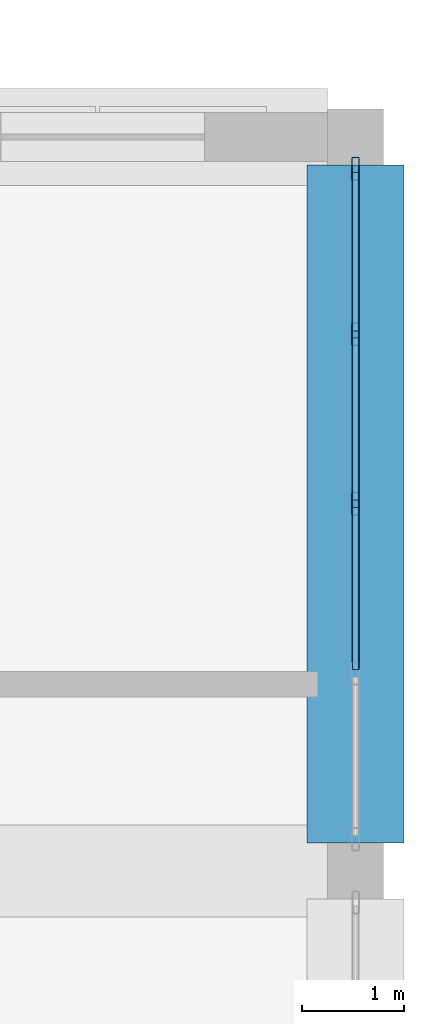
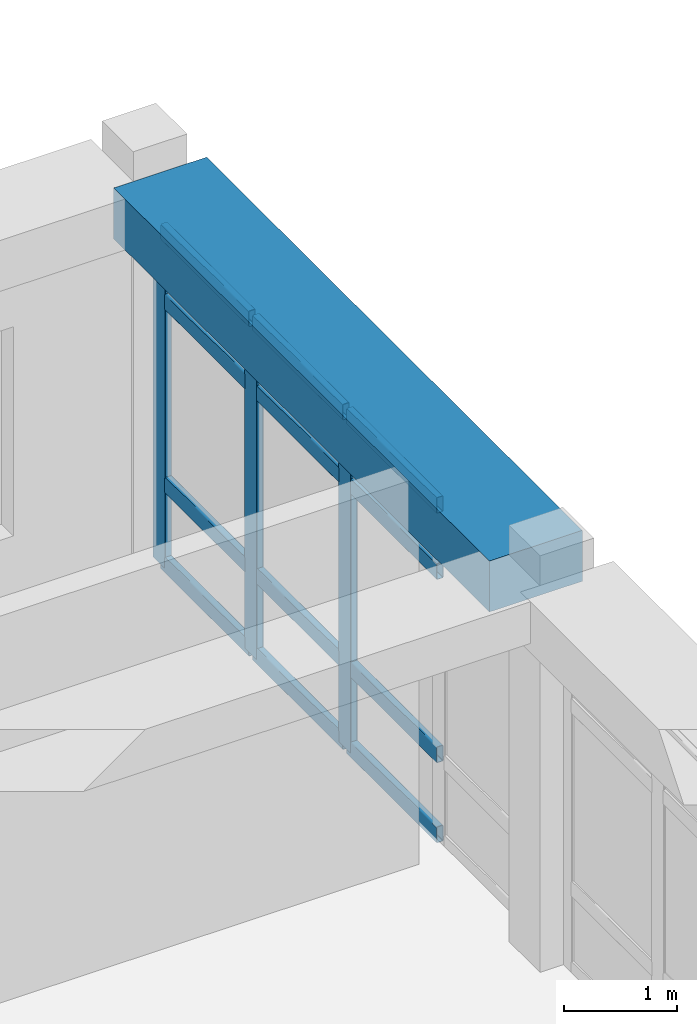
# One storey, part 61 of 121: 15 members, 1 beam, 1 element without a shape of its own.
"""IFC4 building model written with IfcOpenShell, lengths in metres."""

from ifc_helpers import new_model, si_unit, derived_unit, direction, frame, origin, origin_2d, place, context, subcontext, project, spatial, rectangle, hollow_rectangle, extrude, material, material_profile, profile_set, type_object, element, aggregate, save


model = new_model("IFC4")

# Units and contexts
model_context = context("Model", 3, precision=1e-05, world=origin(), true_north=direction((0.0, 1.0)))
body_context = subcontext(model_context, "Body", "Model", "MODEL_VIEW")
ifc_project = project(units=[si_unit("LENGTHUNIT", "METRE"), si_unit("AREAUNIT", "SQUARE_METRE"), si_unit("VOLUMEUNIT", "CUBIC_METRE"), si_unit("PLANEANGLEUNIT", "RADIAN"), si_unit("MASSUNIT", "GRAM", prefix="KILO"), derived_unit("THERMALTRANSMITTANCEUNIT", [(si_unit("POWERUNIT", "WATT"), 1), (si_unit("LENGTHUNIT", "METRE"), -2), (si_unit("THERMODYNAMICTEMPERATUREUNIT", "KELVIN"), -1)])], contexts=[model_context])

# Site, building, storey
site_placement = place(None, origin())
site = spatial("IfcSite", under=ifc_project, at=site_placement, CompositionType="ELEMENT")
building_placement = place(site_placement, origin())
building = spatial("IfcBuilding", under=site, at=building_placement, Name="Veybourne Emporium", CompositionType="ELEMENT")
storey_placement = place(building_placement, frame((0.0, 0.0, 5.39990234375)))
storey = spatial("IfcBuildingStorey", under=building, at=storey_placement, Name="L01", CompositionType="ELEMENT", Elevation=5.39990234375)

# Curtain wall, members
ifc_material_1 = material(Name="Patinated Architectural Bronze", Category="bronze")
curtain_wall_type = type_object("IfcCurtainWallType", Name="CWSystem_CWS-05", PredefinedType="NOTDEFINED", material=ifc_material_1)
curtain_wall_placement = place(storey_placement, origin())
curtain_wall = element("IfcCurtainWall", 1, at=curtain_wall_placement, inside=storey, type_object=curtain_wall_type, Name="L01 bronze glazed curtain wall CWS-05 (079)", PredefinedType="NOTDEFINED")
ifc_material_profile_1 = material_profile(ifc_material_1, hollow_rectangle(XDim=0.072021484375, YDim=0.22509765625, WallThickness=0.0048828125, InnerFilletRadius=0.007568359375, OuterFilletRadius=0.012451171875, at=origin_2d()), Name="CWM 72x225x5")
ifc_profile_set_1 = profile_set([ifc_material_profile_1], Name="Patinated Architectural Bronze")
member_type_1 = type_object("IfcMemberType", Name="CWMullion_CW-M1", PredefinedType="MULLION", material=ifc_profile_set_1)
member_1_placement = place(storey_placement, frame((168.0, 21.2890625, 0.0), z_axis=(0.0, 0.0, 1.0), x_axis=(1.0, 0.0, 0.0)))
member_1 = element("IfcMember", 2, at=member_1_placement, type_object=member_type_1, Name="CWS-05 mullion 1", PredefinedType="MULLION", context=body_context, shape_type="SweptSolid", body=[
    extrude(hollow_rectangle(XDim=0.072021484375, YDim=0.22509765625, WallThickness=0.0048828125, InnerFilletRadius=0.007568359375, OuterFilletRadius=0.012451171875, at=origin_2d()), origin(), (0.0, 0.0, 1.0), 3.630126953125),
])
member_2_placement = place(storey_placement, frame((168.0, 19.66259765625, 0.0), z_axis=(0.0, 0.0, 1.0), x_axis=(1.0, 0.0, 0.0)))
member_2 = element("IfcMember", 3, at=member_2_placement, type_object=member_type_1, Name="CWS-05 mullion 2", PredefinedType="MULLION", context=body_context, shape_type="SweptSolid", body=[
    extrude(hollow_rectangle(XDim=0.072021484375, YDim=0.22509765625, WallThickness=0.0048828125, InnerFilletRadius=0.007568359375, OuterFilletRadius=0.012451171875, at=origin_2d()), origin(), (0.0, 0.0, 1.0), 3.630126953125),
])
member_3_placement = place(storey_placement, frame((168.0, 18.0, 0.0), z_axis=(0.0, 0.0, 1.0), x_axis=(1.0, 0.0, 0.0)))
member_3 = element("IfcMember", 4, at=member_3_placement, type_object=member_type_1, Name="CWS-05 mullion 3", PredefinedType="MULLION", context=body_context, shape_type="SweptSolid", body=[
    extrude(hollow_rectangle(XDim=0.072021484375, YDim=0.22509765625, WallThickness=0.0048828125, InnerFilletRadius=0.007568359375, OuterFilletRadius=0.012451171875, at=origin_2d()), origin(), (0.0, 0.0, 1.0), 3.630126953125),
])
ifc_material_profile_2 = material_profile(ifc_material_1, hollow_rectangle(XDim=0.072021484375, YDim=0.175048828125, WallThickness=0.0048828125, InnerFilletRadius=0.007568359375, OuterFilletRadius=0.012451171875, at=origin_2d()), Name="CWT 72x175x5")
ifc_profile_set_2 = profile_set([ifc_material_profile_2], Name="Patinated Architectural Bronze")
member_type_2 = type_object("IfcMemberType", Name="CWTransom_CW-T1", PredefinedType="NOTDEFINED", material=ifc_profile_set_2)
member_4_placement = place(storey_placement, frame((168.0, 21.2529296875, 0.0361328125), z_axis=(0.0, -1.0, 0.0), x_axis=(1.0, 0.0, 0.0)))
member_4 = element("IfcMember", 5, at=member_4_placement, type_object=member_type_2, Name="CWS-05 transom 1.1", ObjectType="TRANSOM", PredefinedType="USERDEFINED", context=body_context, shape_type="SweptSolid", body=[
    extrude(hollow_rectangle(XDim=0.072021484375, YDim=0.175048828125, WallThickness=0.0048828125, InnerFilletRadius=0.007568359375, OuterFilletRadius=0.012451171875, at=origin_2d()), origin(), (0.0, 0.0, 1.0), 1.554443359375),
])
member_5_placement = place(storey_placement, frame((168.0, 21.2529296875, 0.900146484375), z_axis=(0.0, -1.0, 0.0), x_axis=(1.0, 0.0, 0.0)))
member_5 = element("IfcMember", 6, at=member_5_placement, type_object=member_type_2, Name="CWS-05 transom 1.2", ObjectType="TRANSOM", PredefinedType="USERDEFINED", context=body_context, shape_type="SweptSolid", body=[
    extrude(hollow_rectangle(XDim=0.072021484375, YDim=0.175048828125, WallThickness=0.0048828125, InnerFilletRadius=0.007568359375, OuterFilletRadius=0.012451171875, at=origin_2d()), origin(), (0.0, 0.0, 1.0), 1.554443359375),
])
member_6_placement = place(storey_placement, frame((168.0, 21.2529296875, 2.880126953125), z_axis=(0.0, -1.0, 0.0), x_axis=(1.0, 0.0, 0.0)))
member_6 = element("IfcMember", 7, at=member_6_placement, type_object=member_type_2, Name="CWS-05 transom 1.3", ObjectType="TRANSOM", PredefinedType="USERDEFINED", context=body_context, shape_type="SweptSolid", body=[
    extrude(hollow_rectangle(XDim=0.072021484375, YDim=0.175048828125, WallThickness=0.0048828125, InnerFilletRadius=0.007568359375, OuterFilletRadius=0.012451171875, at=origin_2d()), origin(), (0.0, 0.0, 1.0), 1.554443359375),
])
member_7_placement = place(storey_placement, frame((168.0, 21.2529296875, 3.593994140625), z_axis=(0.0, -1.0, 0.0), x_axis=(1.0, 0.0, 0.0)))
member_7 = element("IfcMember", 8, at=member_7_placement, type_object=member_type_2, Name="CWS-05 transom 1.4", ObjectType="TRANSOM", PredefinedType="USERDEFINED", context=body_context, shape_type="SweptSolid", body=[
    extrude(hollow_rectangle(XDim=0.072021484375, YDim=0.175048828125, WallThickness=0.0048828125, InnerFilletRadius=0.007568359375, OuterFilletRadius=0.012451171875, at=origin_2d()), origin(), (0.0, 0.0, 1.0), 1.554443359375),
])
member_8_placement = place(storey_placement, frame((168.0, 19.62646484375, 0.0361328125), z_axis=(0.0, -1.0, 0.0), x_axis=(1.0, 0.0, 0.0)))
member_8 = element("IfcMember", 9, at=member_8_placement, type_object=member_type_2, Name="CWS-05 transom 2.1", ObjectType="TRANSOM", PredefinedType="USERDEFINED", context=body_context, shape_type="SweptSolid", body=[
    extrude(hollow_rectangle(XDim=0.072021484375, YDim=0.175048828125, WallThickness=0.0048828125, InnerFilletRadius=0.007568359375, OuterFilletRadius=0.012451171875, at=origin_2d()), origin(), (0.0, 0.0, 1.0), 1.590576171875),
])
member_9_placement = place(storey_placement, frame((168.0, 19.62646484375, 0.900146484375), z_axis=(0.0, -1.0, 0.0), x_axis=(1.0, 0.0, 0.0)))
member_9 = element("IfcMember", 10, at=member_9_placement, type_object=member_type_2, Name="CWS-05 transom 2.2", ObjectType="TRANSOM", PredefinedType="USERDEFINED", context=body_context, shape_type="SweptSolid", body=[
    extrude(hollow_rectangle(XDim=0.072021484375, YDim=0.175048828125, WallThickness=0.0048828125, InnerFilletRadius=0.007568359375, OuterFilletRadius=0.012451171875, at=origin_2d()), origin(), (0.0, 0.0, 1.0), 1.590576171875),
])
member_10_placement = place(storey_placement, frame((168.0, 19.62646484375, 2.880126953125), z_axis=(0.0, -1.0, 0.0), x_axis=(1.0, 0.0, 0.0)))
member_10 = element("IfcMember", 11, at=member_10_placement, type_object=member_type_2, Name="CWS-05 transom 2.3", ObjectType="TRANSOM", PredefinedType="USERDEFINED", context=body_context, shape_type="SweptSolid", body=[
    extrude(hollow_rectangle(XDim=0.072021484375, YDim=0.175048828125, WallThickness=0.0048828125, InnerFilletRadius=0.007568359375, OuterFilletRadius=0.012451171875, at=origin_2d()), origin(), (0.0, 0.0, 1.0), 1.590576171875),
])
member_11_placement = place(storey_placement, frame((168.0, 19.62646484375, 3.593994140625), z_axis=(0.0, -1.0, 0.0), x_axis=(1.0, 0.0, 0.0)))
member_11 = element("IfcMember", 12, at=member_11_placement, type_object=member_type_2, Name="CWS-05 transom 2.4", ObjectType="TRANSOM", PredefinedType="USERDEFINED", context=body_context, shape_type="SweptSolid", body=[
    extrude(hollow_rectangle(XDim=0.072021484375, YDim=0.175048828125, WallThickness=0.0048828125, InnerFilletRadius=0.007568359375, OuterFilletRadius=0.012451171875, at=origin_2d()), origin(), (0.0, 0.0, 1.0), 1.590576171875),
])
member_12_placement = place(storey_placement, frame((168.0, 17.964111328125, 0.0361328125), z_axis=(0.0, -1.0, 0.0), x_axis=(1.0, 0.0, 0.0)))
member_12 = element("IfcMember", 13, at=member_12_placement, type_object=member_type_2, Name="CWS-05 transom 3.1", ObjectType="TRANSOM", PredefinedType="USERDEFINED", context=body_context, shape_type="SweptSolid", body=[
    extrude(hollow_rectangle(XDim=0.072021484375, YDim=0.175048828125, WallThickness=0.0048828125, InnerFilletRadius=0.007568359375, OuterFilletRadius=0.012451171875, at=origin_2d()), origin(), (0.0, 0.0, 1.0), 1.590576171875),
])
member_13_placement = place(storey_placement, frame((168.0, 17.964111328125, 0.900146484375), z_axis=(0.0, -1.0, 0.0), x_axis=(1.0, 0.0, 0.0)))
member_13 = element("IfcMember", 14, at=member_13_placement, type_object=member_type_2, Name="CWS-05 transom 3.2", ObjectType="TRANSOM", PredefinedType="USERDEFINED", context=body_context, shape_type="SweptSolid", body=[
    extrude(hollow_rectangle(XDim=0.072021484375, YDim=0.175048828125, WallThickness=0.0048828125, InnerFilletRadius=0.007568359375, OuterFilletRadius=0.012451171875, at=origin_2d()), origin(), (0.0, 0.0, 1.0), 1.590576171875),
])
member_14_placement = place(storey_placement, frame((168.0, 17.964111328125, 2.880126953125), z_axis=(0.0, -1.0, 0.0), x_axis=(1.0, 0.0, 0.0)))
member_14 = element("IfcMember", 15, at=member_14_placement, type_object=member_type_2, Name="CWS-05 transom 3.3", ObjectType="TRANSOM", PredefinedType="USERDEFINED", context=body_context, shape_type="SweptSolid", body=[
    extrude(hollow_rectangle(XDim=0.072021484375, YDim=0.175048828125, WallThickness=0.0048828125, InnerFilletRadius=0.007568359375, OuterFilletRadius=0.012451171875, at=origin_2d()), origin(), (0.0, 0.0, 1.0), 1.590576171875),
])
member_15_placement = place(storey_placement, frame((168.0, 17.964111328125, 3.593994140625), z_axis=(0.0, -1.0, 0.0), x_axis=(1.0, 0.0, 0.0)))
member_15 = element("IfcMember", 16, at=member_15_placement, type_object=member_type_2, Name="CWS-05 transom 3.4", ObjectType="TRANSOM", PredefinedType="USERDEFINED", context=body_context, shape_type="SweptSolid", body=[
    extrude(hollow_rectangle(XDim=0.072021484375, YDim=0.175048828125, WallThickness=0.0048828125, InnerFilletRadius=0.007568359375, OuterFilletRadius=0.012451171875, at=origin_2d()), origin(), (0.0, 0.0, 1.0), 1.590576171875),
])
aggregate(curtain_wall, [member_1, member_2, member_3, member_4, member_5, member_6, member_7, member_8, member_9, member_10, member_11, member_12, member_13, member_14, member_15])

# Beam
ifc_material_2 = material(Name="Concrete C32/40", Category="concrete")
ifc_material_profile_3 = material_profile(ifc_material_2, rectangle(XDim=0.949951171875, YDim=0.550048828125, at=origin_2d()), Name="RC 950x550")
ifc_profile_set_3 = profile_set([ifc_material_profile_3], Name="Concrete C32/40")
beam_type = type_object("IfcBeamType", Name="RCBeam_EB-01", PredefinedType="SPANDREL", material=ifc_profile_set_3)
beam_placement = place(storey_placement, frame((168.0, 14.675048828125, 3.905029296875), z_axis=(0.0, 1.0, 0.0), x_axis=(-1.0, 0.0, 0.0)))
element("IfcBeam", 17, at=beam_placement, inside=storey, type_object=beam_type, Name="L01 Y-grid beam EB-01 (20,2)", PredefinedType="SPANDREL", context=body_context, shape_type="SweptSolid", body=[
    extrude(rectangle(XDim=0.949951171875, YDim=0.550048828125, at=origin_2d()), origin(), (0.0, 0.0, 1.0), 6.64990234375),
])

save(model, "model.ifc")
